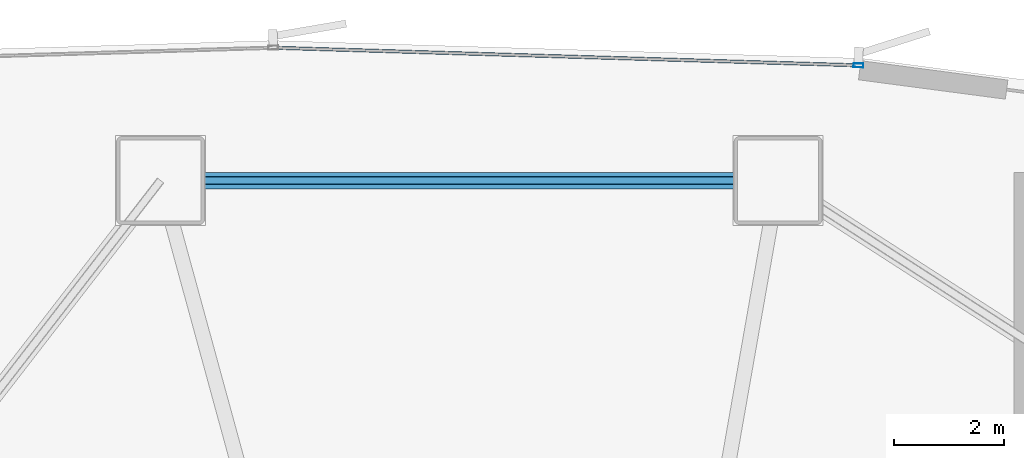
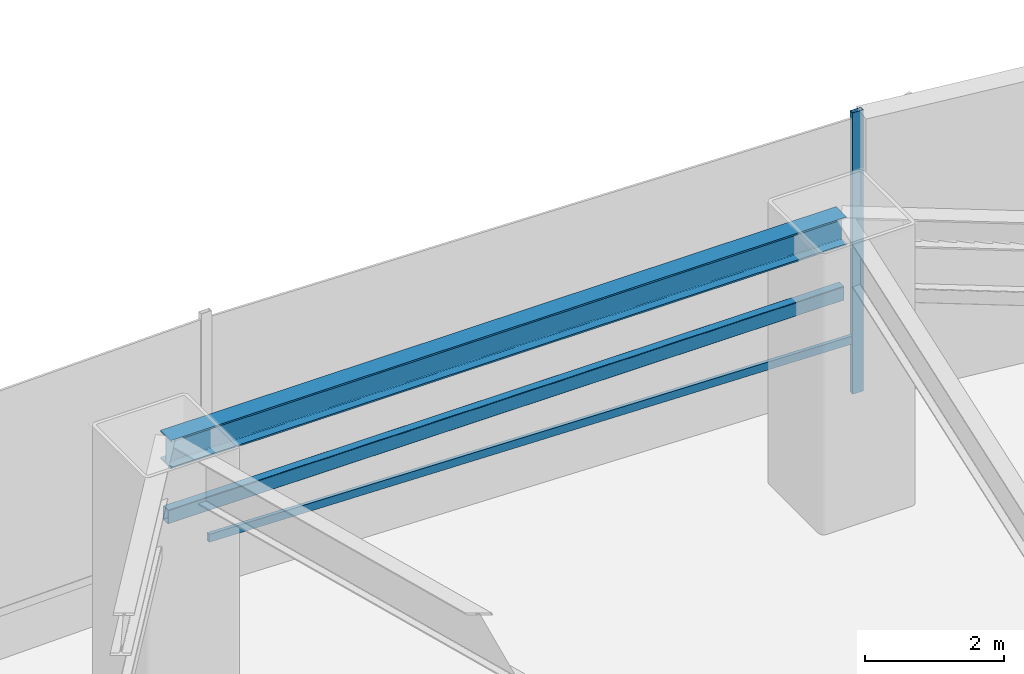
# One storey, part 12 of 35: 2 beams, 2 members, 1 element without a shape of its own.
"""IFC4 building model written with IfcOpenShell, lengths in metres."""

import ifcopenshell
import ifcopenshell.guid

model = None  # the IFC model being written
_history = None  # IfcOwnerHistory: only IFC2X3 demands one
_inside = {}  # id of a spatial element -> (the spatial element, [elements in it])
_under = {}  # id of a project, library or spatial element -> (it, [spatial elements below it])
_declared = {}  # id of a project -> (the project, [libraries it declares])
_typed = {}  # id of a type object -> (the type object, [elements of that type])
_made_of = {}  # id of a material, layer set ... -> (it, [elements and type objects made of it])


def new_model(schema):
    """Start an empty IFC model of exactly this schema.

    Asked for "IFC4X3", IfcOpenShell would pick the latest addendum, in which some entities
    have other attributes; the version numbers below select the first issue.
    IFC2X3 requires an IfcOwnerHistory on every rooted entity: one is made here for all.
    """
    global model, _history
    if schema == "IFC4X3":
        model = ifcopenshell.file(schema_version=(4, 3, 0, 0))
    else:
        model = ifcopenshell.file(schema=schema)
    _inside.clear()
    _under.clear()
    _declared.clear()
    _typed.clear()
    _made_of.clear()
    _history = None
    if model.schema == "IFC2X3":
        org = make("IfcOrganization", Name="unknown")
        user = make(
            "IfcPersonAndOrganization",
            ThePerson=make("IfcPerson", FamilyName="unknown"),
            TheOrganization=org,
        )
        app = make(
            "IfcApplication",
            ApplicationDeveloper=org,
            Version="unknown",
            ApplicationFullName="unknown",
            ApplicationIdentifier="unknown",
        )
        _history = make(
            "IfcOwnerHistory",
            OwningUser=user,
            OwningApplication=app,
            ChangeAction="ADDED",
            CreationDate=0,
        )
    return model


def make(cls, **values):
    """One entity of the class cls with the attributes given. An attribute that is None is left unset."""
    return model.create_entity(
        cls, **{name: value for name, value in values.items() if value is not None}
    )


def rooted(cls, **values):
    """An entity with a GlobalId (a new one), such as an element, a storey or a relation."""
    return make(cls, GlobalId=ifcopenshell.guid.new(), OwnerHistory=_history, **values)


def si_unit(unit_type, name, prefix=None):
    """IfcSIUnit, for example si_unit("LENGTHUNIT", "METRE", prefix="MILLI")."""
    return make("IfcSIUnit", UnitType=unit_type, Prefix=prefix, Name=name)


def assignment(units):
    """IfcUnitAssignment: the units of a project."""
    return None if units is None else make("IfcUnitAssignment", Units=units)


def point(xyz):
    """IfcCartesianPoint."""
    return None if xyz is None else make("IfcCartesianPoint", Coordinates=xyz)


def direction(xyz):
    """IfcDirection."""
    return None if xyz is None else make("IfcDirection", DirectionRatios=xyz)


def frame(location, z_axis=None, x_axis=None):
    """IfcAxis2Placement3D, a coordinate frame: its origin and axes. An axis left out is left unset."""
    return make(
        "IfcAxis2Placement3D",
        Location=point(location),
        Axis=direction(z_axis),
        RefDirection=direction(x_axis),
    )


def frame_2d(location, x_axis=None):
    """IfcAxis2Placement2D, a coordinate frame in the plane: its origin and x axis."""
    return make(
        "IfcAxis2Placement2D", Location=point(location), RefDirection=direction(x_axis)
    )


def origin():
    """The frame at (0, 0, 0) with its axes left unset."""
    return frame((0.0, 0.0, 0.0))


def origin_2d():
    """The frame at (0, 0) in the plane with its x axis left unset."""
    return frame_2d((0.0, 0.0))


def place(relative_to, where):
    """IfcLocalPlacement: puts the frame where relative to a parent placement (None: the world)."""
    return make(
        "IfcLocalPlacement", PlacementRelTo=relative_to, RelativePlacement=where
    )


def context(
    kind, dimensions, precision=None, world=None, true_north=None, identifier=None
):
    """IfcGeometricRepresentationContext, for example the 3D "Model" context."""
    return make(
        "IfcGeometricRepresentationContext",
        ContextIdentifier=identifier,
        ContextType=kind,
        CoordinateSpaceDimension=dimensions,
        Precision=precision,
        WorldCoordinateSystem=world,
        TrueNorth=true_north,
    )


def subcontext(parent, identifier, kind, view, scale=None):
    """IfcGeometricRepresentationSubContext, for example "Body" below "Model"."""
    return make(
        "IfcGeometricRepresentationSubContext",
        ContextIdentifier=identifier,
        ContextType=kind,
        ParentContext=parent,
        TargetScale=scale,
        TargetView=view,
    )


def project(units=None, contexts=None):
    """IfcProject with its units and contexts."""
    return rooted(
        "IfcProject",
        Name="project",
        RepresentationContexts=contexts,
        UnitsInContext=assignment(units),
    )


def spatial(cls, under=None, at=None, **own):
    """A site, building, storey or space (cls), placed at a placement, below another one or the project."""
    s = rooted(cls, ObjectPlacement=at, **own)
    if under is not None:
        _under.setdefault(under.id(), (under, []))[1].append(s)
    return s


def profile(cls, at=None, kind="AREA", **sizes):
    """A parametric profile (cls). Its sizes go by their IFC names, for example OverallWidth=200.0."""
    return make(cls, ProfileType=kind, Position=at, **sizes)


def hollow_rectangle(**sizes):
    """IfcRectangleHollowProfileDef."""
    return profile("IfcRectangleHollowProfileDef", **sizes)


def i_section(**sizes):
    """IfcIShapeProfileDef."""
    return profile("IfcIShapeProfileDef", **sizes)


def extrude(swept, where, along, depth):
    """IfcExtrudedAreaSolid: the profile swept, set in the frame where, extruded along a direction by depth."""
    return make(
        "IfcExtrudedAreaSolid",
        SweptArea=swept,
        Position=where,
        ExtrudedDirection=direction(along),
        Depth=depth,
    )


def shape(context_of_items, identifier, shape_type, items):
    """IfcShapeRepresentation: the items that make up one representation, for example the "Body"."""
    return make(
        "IfcShapeRepresentation",
        ContextOfItems=context_of_items,
        RepresentationIdentifier=identifier,
        RepresentationType=shape_type,
        Items=items,
    )


def source(mapping_origin, context_of_items, identifier, shape_type, items):
    """IfcRepresentationMap: a shape defined once, which mapped items show again and again."""
    return make(
        "IfcRepresentationMap",
        MappingOrigin=mapping_origin,
        MappedRepresentation=shape(context_of_items, identifier, shape_type, items),
    )


def transform(
    local_origin,
    x_axis=None,
    y_axis=None,
    z_axis=None,
    scale=None,
    scale2=None,
    scale3=None,
    uniform=True,
):
    """IfcCartesianTransformationOperator3D, or its non-uniform kind. x_axis, y_axis, z_axis: its Axis1, 2, 3."""
    if uniform:
        return make(
            "IfcCartesianTransformationOperator3D",
            Axis1=direction(x_axis),
            Axis2=direction(y_axis),
            LocalOrigin=point(local_origin),
            Scale=scale,
            Axis3=direction(z_axis),
        )
    return make(
        "IfcCartesianTransformationOperator3DnonUniform",
        Axis1=direction(x_axis),
        Axis2=direction(y_axis),
        LocalOrigin=point(local_origin),
        Scale=scale,
        Axis3=direction(z_axis),
        Scale2=scale2,
        Scale3=scale3,
    )


def mapped(mapping_source, mapping_target):
    """IfcMappedItem: shows the shape of a source again, moved by a transform."""
    return make(
        "IfcMappedItem", MappingSource=mapping_source, MappingTarget=mapping_target
    )


def material(Name=None, Category=None):
    """IfcMaterial."""
    return make("IfcMaterial", Name=Name, Category=Category)


def layer(
    of_material, thickness, ventilated=None, Name=None, Category=None, Priority=None
):
    """IfcMaterialLayer: one layer of a wall or slab, of a material (None: an air gap)."""
    return make(
        "IfcMaterialLayer",
        Material=of_material,
        LayerThickness=thickness,
        IsVentilated=ventilated,
        Name=Name,
        Category=Category,
        Priority=Priority,
    )


def layer_set(layers, Name=None):
    """IfcMaterialLayerSet."""
    return make("IfcMaterialLayerSet", MaterialLayers=layers, LayerSetName=Name)


def material_profile(
    of_material, cross_section, Name=None, Category=None, Priority=None
):
    """IfcMaterialProfile: a cross section and its material."""
    return make(
        "IfcMaterialProfile",
        Name=Name,
        Material=of_material,
        Profile=cross_section,
        Priority=Priority,
        Category=Category,
    )


def profile_set(profiles, Name=None, composite=None):
    """IfcMaterialProfileSet."""
    return make(
        "IfcMaterialProfileSet",
        Name=Name,
        MaterialProfiles=profiles,
        CompositeProfile=composite,
    )


def made_of(thing, what):
    """Note that an element or type object is made of a material, layer set ...; save() writes the relation."""
    if what is not None:
        _made_of.setdefault(what.id(), (what, []))[1].append(thing)
    return thing


def type_object(cls, material=None, **own):
    """A type object (cls), such as IfcWallType, which elements share."""
    return made_of(rooted(cls, **own), material)


def element(
    cls,
    number,
    at=None,
    inside=None,
    cuts=None,
    type_object=None,
    material=None,
    context=None,
    identifier="Body",
    shape_type=None,
    held_by="IfcProductDefinitionShape",
    body=None,
    shapes=None,
    **own,
):
    """One element of the class cls, such as IfcWall. Its Tag is "e" and its number.

    at: its placement. inside: the storey or other place that contains it. cuts: it is an
    opening in that element (IfcRelVoidsElement). A single representation is given by context,
    identifier, shape_type and body (its items); several are given by shapes. held_by: the class
    of the entity that holds the representations. save() writes the other relations.
    """
    e = rooted(cls, Tag="e%d" % number, ObjectPlacement=at, **own)
    if body is not None:
        shapes = [shape(context, identifier, shape_type, body)]
    if shapes is not None:
        e.Representation = make(held_by, Representations=shapes)
    if inside is not None:
        _inside.setdefault(inside.id(), (inside, []))[1].append(e)
    if cuts is not None:
        rooted(
            "IfcRelVoidsElement", RelatingBuildingElement=cuts, RelatedOpeningElement=e
        )
    if type_object is not None:
        _typed.setdefault(type_object.id(), (type_object, []))[1].append(e)
    return made_of(e, material)


def aggregate(whole, parts):
    """IfcRelAggregates: a whole, such as a stair, and the parts it consists of."""
    return rooted("IfcRelAggregates", RelatingObject=whole, RelatedObjects=parts)


def save(model, path):
    """Write the relations noted so far, then the file.

    IfcRelAggregates (storeys below a building ...), IfcRelContainedInSpatialStructure (elements
    in a storey), IfcRelDefinesByType, IfcRelAssociatesMaterial and IfcRelDeclares: one each for
    every whole, place, type object, material and project.
    """
    for whole, parts in _under.values():
        aggregate(whole, parts)
    for where, things in _inside.values():
        rooted(
            "IfcRelContainedInSpatialStructure",
            RelatedElements=things,
            RelatingStructure=where,
        )
    for kind, things in _typed.values():
        rooted("IfcRelDefinesByType", RelatedObjects=things, RelatingType=kind)
    for what, things in _made_of.values():
        rooted("IfcRelAssociatesMaterial", RelatedObjects=things, RelatingMaterial=what)
    for by, libraries in _declared.values():
        rooted("IfcRelDeclares", RelatingContext=by, RelatedDefinitions=libraries)
    model.write(path)


model = new_model("IFC4")

# Units and contexts
model_context = context("Model", 3, precision=1e-05, world=origin(), true_north=direction((0.0, 1.0)))
body_context = subcontext(model_context, "Body", "Model", "MODEL_VIEW")
ifc_project = project(units=[si_unit("LENGTHUNIT", "METRE"), si_unit("AREAUNIT", "SQUARE_METRE"), si_unit("VOLUMEUNIT", "CUBIC_METRE"), si_unit("PLANEANGLEUNIT", "RADIAN"), si_unit("MASSUNIT", "GRAM", prefix="KILO"), si_unit("THERMODYNAMICTEMPERATUREUNIT", "KELVIN")], contexts=[model_context])

# Site, building, storey
site_placement = place(None, origin())
site = spatial("IfcSite", under=ifc_project, at=site_placement, CompositionType="ELEMENT")
building_placement = place(site_placement, origin())
building = spatial("IfcBuilding", under=site, at=building_placement, Name="Kethvar Cultural Tower", CompositionType="ELEMENT")
storey_placement = place(building_placement, origin())
storey = spatial("IfcBuildingStorey", under=building, at=storey_placement, Name="L00", CompositionType="ELEMENT", Elevation=0.0)

# Beams
ifc_material_1 = material(Name="Steel S355J2", Category="steel")
ifc_material_profile_1 = material_profile(ifc_material_1, i_section(OverallWidth=0.300048828125, OverallDepth=0.5, WebThickness=0.014404296875, FlangeThickness=0.028076171875, FilletRadius=0.027099609375, at=origin_2d()), Name="Steel S355J2 — HEB500")
ifc_profile_set_1 = profile_set([ifc_material_profile_1], Name="Steel S355J2 — HEB500")
beam_type_1 = type_object("IfcBeamType", Name="BM-SP500", PredefinedType="SPANDREL", material=ifc_profile_set_1)
shared_shape_1 = source(origin(), body_context, "Body", "SweptSolid", [
    extrude(i_section(OverallWidth=0.300048828125, OverallDepth=0.5, WebThickness=0.014404296875, FlangeThickness=0.028076171875, FilletRadius=0.027099609375, at=origin_2d()), origin(), (0.0, 0.0, 1.0), 11.25),
])
beam_1_placement = place(storey_placement, frame((51.199951171875, 52.85009765625, 4.697998046875), z_axis=(-1.0, 0.0, 0.0), x_axis=(0.0, -1.0, 0.0)))
element("IfcBeam", 1, at=beam_1_placement, inside=storey, type_object=beam_type_1, Name="L00 Podium Ring Beam 04", PredefinedType="SPANDREL", context=body_context, shape_type="MappedRepresentation", body=[
    mapped(shared_shape_1, transform((0.0, 0.0, 0.0), scale=1.0)),
])
ifc_material_profile_2 = material_profile(ifc_material_1, hollow_rectangle(XDim=0.14990234375, YDim=0.25, WallThickness=0.010009765625, InnerFilletRadius=0.010009765625, OuterFilletRadius=0.02001953125, at=origin_2d()), Name="Steel S355J2 — RHS250x150x10")
ifc_profile_set_2 = profile_set([ifc_material_profile_2], Name="Steel S355J2 — RHS250x150x10")
beam_type_2 = type_object("IfcBeamType", Name="BM-LN250", PredefinedType="LINTEL", material=ifc_profile_set_2)
shared_shape_2 = source(origin(), body_context, "Body", "SweptSolid", [
    extrude(hollow_rectangle(XDim=0.14990234375, YDim=0.25, WallThickness=0.010009765625, InnerFilletRadius=0.010009765625, OuterFilletRadius=0.02001953125, at=origin_2d()), origin(), (0.0, 0.0, 1.0), 11.25),
])
beam_2_placement = place(storey_placement, frame((51.199951171875, 52.85009765625, 3.550048828125), z_axis=(-1.0, 0.0, 0.0), x_axis=(0.0, -1.0, 0.0)))
element("IfcBeam", 2, at=beam_2_placement, inside=storey, type_object=beam_type_2, Name="L00 Header Lintel LN-04", PredefinedType="LINTEL", context=body_context, shape_type="MappedRepresentation", body=[
    mapped(shared_shape_2, transform((0.0, 0.0, 0.0), scale=1.0)),
])

# Curtain wall, members
ifc_material_2 = material(Name="Aluminium 6063-T6", Category="aluminium")
ifc_layer = layer(ifc_material_2, 0.179931640625, Name="Aluminium 6063-T6", Category="aluminium")
ifc_layer_set = layer_set([ifc_layer], Name="Aluminium 6063-T6 (180 mm)")
curtain_wall_type = type_object("IfcCurtainWallType", Name="CW-SYS-01-POD", PredefinedType="NOTDEFINED", material=ifc_layer_set)
curtain_wall_placement = place(storey_placement, origin())
curtain_wall = element("IfcCurtainWall", 3, at=curtain_wall_placement, inside=storey, type_object=curtain_wall_type, Name="L00 Curtain Wall Run 02", PredefinedType="NOTDEFINED")
ifc_material_profile_3 = material_profile(ifc_material_2, hollow_rectangle(XDim=0.074951171875, YDim=0.179931640625, WallThickness=0.006103515625, at=origin_2d()), Name="Aluminium 6063-T6 — RHS180x75x6")
ifc_profile_set_3 = profile_set([ifc_material_profile_3], Name="Aluminium 6063-T6 — RHS180x75x6")
member_type_1 = type_object("IfcMemberType", Name="CW-SYS-01-POD-MUL", PredefinedType="MULLION", material=ifc_profile_set_3)
shared_shape_3 = source(origin(), body_context, "Body", "SweptSolid", [
    extrude(hollow_rectangle(XDim=0.074951171875, YDim=0.179931640625, WallThickness=0.006103515625, at=origin_2d()), origin(), (0.0, 0.0, 1.0), 4.949951171875),
])
member_1_placement = place(storey_placement, frame((52.663330078125, 54.948486328125, 0.0), z_axis=(0.0, 0.0, 1.0), x_axis=(-0.030137272261, -0.999545769248, 0.0)))
member_1 = element("IfcMember", 4, at=member_1_placement, type_object=member_type_1, Name="CW-L00-R02 Mullion 1", PredefinedType="MULLION", context=body_context, shape_type="MappedRepresentation", body=[
    mapped(shared_shape_3, transform((0.0, 0.0, 0.0), scale=1.0)),
])
ifc_material_profile_4 = material_profile(ifc_material_2, hollow_rectangle(XDim=0.06005859375, YDim=0.139892578125, WallThickness=0.0048828125, at=origin_2d()), Name="Aluminium 6063-T6 — RHS140x60x5")
ifc_profile_set_4 = profile_set([ifc_material_profile_4], Name="Aluminium 6063-T6 — RHS140x60x5")
member_type_2 = type_object("IfcMemberType", Name="CW-SYS-01-POD-TRN", PredefinedType="USERDEFINED", material=ifc_profile_set_4)
shared_shape_4 = source(origin(), body_context, "Body", "SweptSolid", [
    extrude(hollow_rectangle(XDim=0.06005859375, YDim=0.139892578125, WallThickness=0.0048828125, at=origin_2d()), origin(), (0.0, 0.0, 1.0), 10.61279296875),
])
member_2_placement = place(storey_placement, frame((52.657958984375, 54.948486328125, 0.949951171875), z_axis=(-0.999545810513, 0.030135903608, 0.0), x_axis=(-0.030135903608, -0.999545810513, 0.0)))
member_2 = element("IfcMember", 5, at=member_2_placement, type_object=member_type_2, Name="CW-L00-R02 Transom 1", ObjectType="TRANSOM", PredefinedType="USERDEFINED", context=body_context, shape_type="MappedRepresentation", body=[
    mapped(shared_shape_4, transform((0.0, 0.0, 0.0), scale=1.0)),
])
aggregate(curtain_wall, [member_1, member_2])

save(model, "model.ifc")
